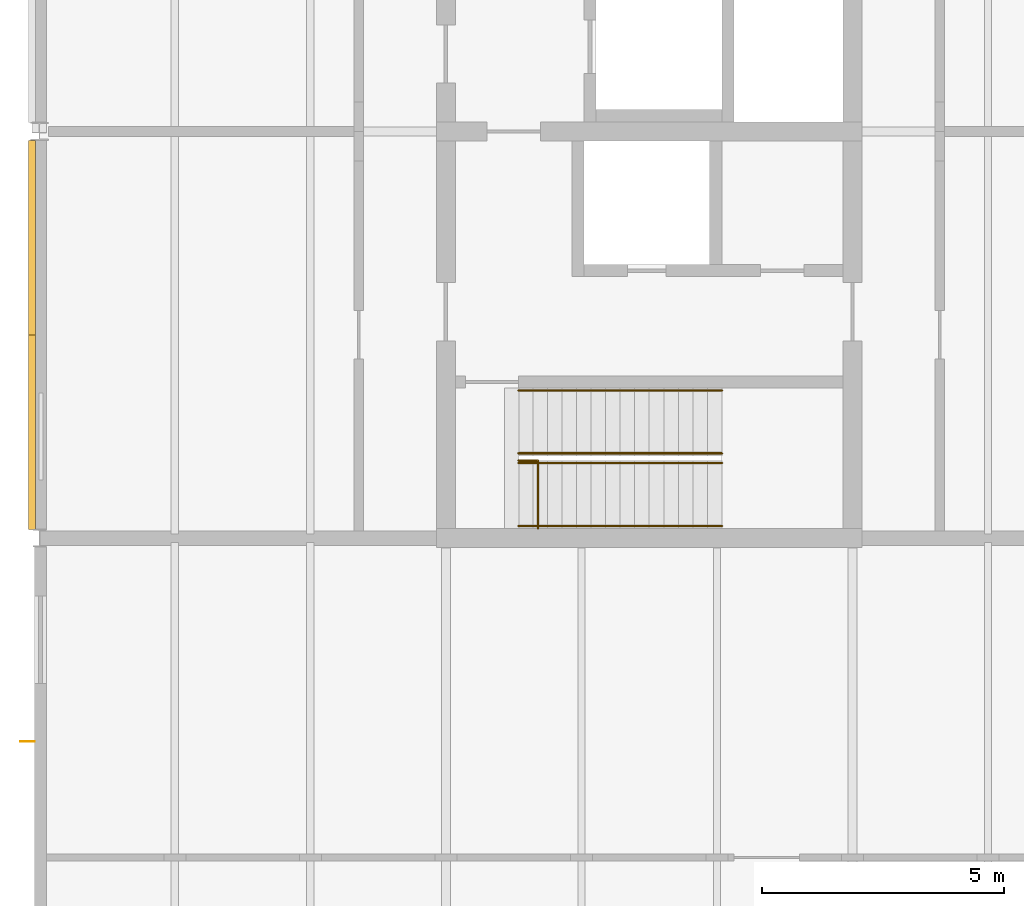
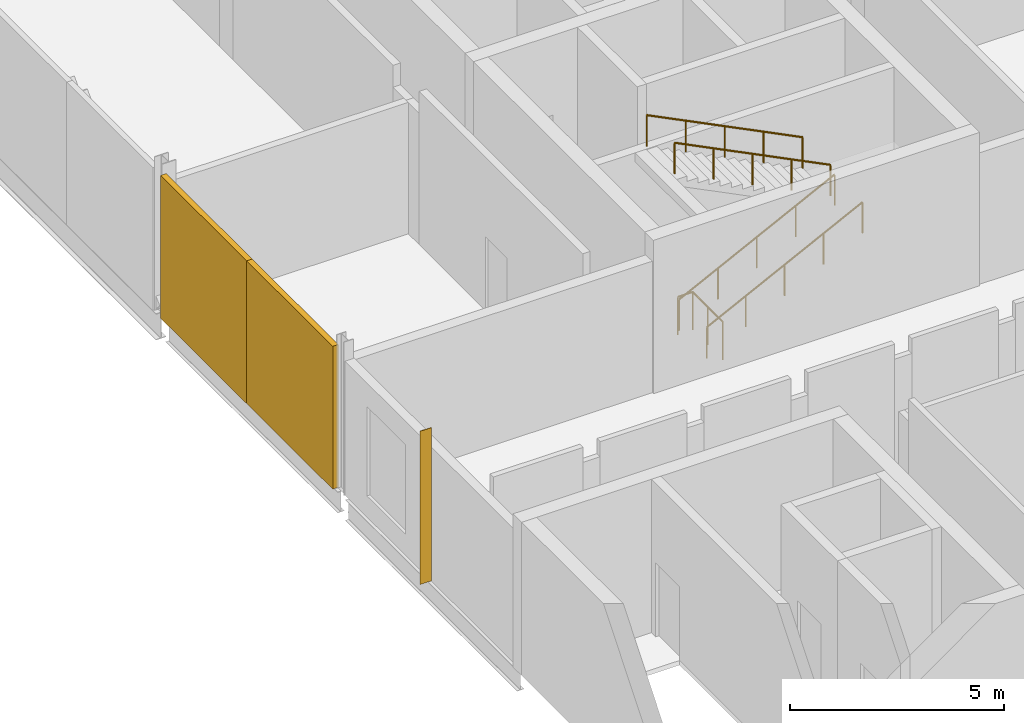
# One storey, part 60 of 72: 5 railings, 3 shading devices.
"""IFC4 building model written with IfcOpenShell, lengths in metres."""

from ifc_helpers import new_model, si_unit, direction, frame, origin, origin_2d, place, context, subcontext, project, spatial, rectangle, circle, extrude, material, layer, layer_set, type_object, element, save


model = new_model("IFC4")

# Units and contexts
model_context = context("Model", 3, precision=1e-05, world=origin(), true_north=direction((0.0, 1.0)))
body_context = subcontext(model_context, "Body", "Model", "MODEL_VIEW")
ifc_project = project(units=[si_unit("LENGTHUNIT", "METRE"), si_unit("AREAUNIT", "SQUARE_METRE"), si_unit("VOLUMEUNIT", "CUBIC_METRE"), si_unit("PLANEANGLEUNIT", "RADIAN"), si_unit("MASSUNIT", "GRAM", prefix="KILO")], contexts=[model_context])

# Site, building, storey
site_placement = place(None, origin())
site = spatial("IfcSite", under=ifc_project, at=site_placement, CompositionType="ELEMENT")
building_placement = place(site_placement, origin())
building = spatial("IfcBuilding", under=site, at=building_placement, Name="Hlaing Beacon Police Headquarters", CompositionType="ELEMENT")
storey_placement = place(building_placement, frame((0.0, 0.0, 14.39990234375)))
storey = spatial("IfcBuildingStorey", under=building, at=storey_placement, Name="L03", CompositionType="ELEMENT", Elevation=14.39990234375)

# Shading devices
ifc_material_1 = material(Name="Aluminium 6063-T5 anodised", Category="aluminium")
ifc_layer_1 = layer(ifc_material_1, 0.011962890625)
ifc_layer_set_1 = layer_set([ifc_layer_1], Name="Aluminium 6063-T5 anodised")
shading_device_type_1 = type_object("IfcShadingDeviceType", Name="Aluminium fin 12x300", PredefinedType="JALOUSIE", material=ifc_layer_set_1)
shading_device_placement = place(storey_placement, frame((8.14990234375, 29.39990234375, 0.0), z_axis=(0.0, 0.0, 1.0), x_axis=(0.0, -1.0, 0.0)))
element("IfcShadingDevice", 1, at=shading_device_placement, inside=storey, type_object=shading_device_type_1, Name="Fin L03 W008", PredefinedType="JALOUSIE", context=body_context, shape_type="SweptSolid", body=[
    extrude(rectangle(XDim=0.011962890625, YDim=0.300048828125, at=origin_2d()), origin(), (0.0, 0.0, 1.0), 4.3701171875),
])
ifc_material_2 = material(Name="Perforated aluminium", Category="aluminium")
ifc_layer_2 = layer(ifc_material_2, 0.14990234375)
ifc_layer_set_2 = layer_set([ifc_layer_2], Name="Perforated aluminium")
shading_device_type_2 = type_object("IfcShadingDeviceType", Name="Perforated screen panel 150", PredefinedType="JALOUSIE", material=ifc_layer_set_2)
for number, where, z_axis, x_axis, name in (
    (2, (8.25, 39.808349609375, 0.0), (0.0, 0.0, 1.0), (0.0, -1.0, 0.0), "Screen L03 W027"),
    (3, (8.25, 35.787841796875, 0.0), (0.0, 0.0, 1.0), (0.0, -1.0, 0.0), "Screen L03 W028"),
):
    element("IfcShadingDevice", number, at=place(storey_placement, frame(where, z_axis=z_axis, x_axis=x_axis)), inside=storey, type_object=shading_device_type_2, Name=name, PredefinedType="JALOUSIE", context=body_context, shape_type="SweptSolid", body=[
        extrude(rectangle(XDim=4.020263671875, YDim=0.14990234375, at=origin_2d()), origin(), (0.0, 0.0, 1.0), 4.070068359375),
    ])

# Railings
ifc_material_3 = material(Name="Stainless steel", Category="steel")
railing_type_1 = type_object("IfcRailingType", Name="Stair guard 1100", PredefinedType="GUARDRAIL", material=ifc_material_3)
railing_placement = place(storey_placement, frame((18.699951171875, 33.800048828125, 0.0)))
element("IfcRailing", 4, at=railing_placement, inside=storey, type_object=railing_type_1, Name="Guard ST-N", PredefinedType="GUARDRAIL", context=body_context, shape_type="SweptSolid", body=[
    extrude(circle(Radius=0.02392578125, at=origin_2d()), frame((0.0, 0.0, 1.076171875), z_axis=(0.0, 1.0, 0.0), x_axis=(-1.0, 0.0, 0.0)), (0.0, 0.0, 1.0), 1.39990234375),
    extrude(circle(Radius=0.02392578125, at=origin_2d()), frame((0.0, 1.39990234375, 1.076171875), z_axis=(-1.0, 0.0, 0.0), x_axis=(0.0, -1.0, 0.0)), (0.0, 0.0, 1.0), 0.39990234375),
    extrude(circle(Radius=0.02099609375, at=origin_2d()), origin(), (0.0, 0.0, 1.0), 1.052001953125),
    extrude(circle(Radius=0.02099609375, at=origin_2d()), frame((0.0, 0.699951171875, 0.0)), (0.0, 0.0, 1.0), 1.052001953125),
    extrude(circle(Radius=0.02099609375, at=origin_2d()), frame((0.0, 1.39990234375, 0.0)), (0.0, 0.0, 1.0), 1.052001953125),
    extrude(circle(Radius=0.02099609375, at=origin_2d()), frame((-0.39990234375, 1.39990234375, 0.0)), (0.0, 0.0, 1.0), 1.052001953125),
])
ifc_material_4 = material(Name="Stainless steel", Category="steel")
railing_type_2 = type_object("IfcRailingType", Name="Stair handrail 900", PredefinedType="HANDRAIL", material=ifc_material_4)
for number, where, name in (
    (5, (18.300048828125, 33.85009765625, 0.150146484375), "Handrail ST-N"),
    (6, (18.300048828125, 35.14990234375, 0.150146484375), "Handrail ST-N"),
):
    element("IfcRailing", number, at=place(storey_placement, frame(where)), inside=storey, type_object=railing_type_2, Name=name, PredefinedType="HANDRAIL", context=body_context, shape_type="SweptSolid", body=[
        extrude(circle(Radius=0.02392578125, at=origin_2d()), frame((0.0, 0.0, 0.8759765625), z_axis=(0.894437589381, 0.0, 0.447192798132), x_axis=(0.0, 1.0, 0.0)), (0.0, 0.0, 1.0), 4.695556640625),
        extrude(circle(Radius=0.02099609375, at=origin_2d()), origin(), (0.0, 0.0, 1.0), 0.851806640625),
        extrude(circle(Radius=0.02099609375, at=origin_2d()), frame((1.050048828125, 0.0, 0.52490234375)), (0.0, 0.0, 1.0), 0.851806640625),
        extrude(circle(Radius=0.02099609375, at=origin_2d()), frame((2.10009765625, 0.0, 1.0498046875)), (0.0, 0.0, 1.0), 0.851806640625),
        extrude(circle(Radius=0.02099609375, at=origin_2d()), frame((3.14990234375, 0.0, 1.574951171875)), (0.0, 0.0, 1.0), 0.851806640625),
        extrude(circle(Radius=0.02099609375, at=origin_2d()), frame((4.199951171875, 0.0, 2.099853515625)), (0.0, 0.0, 1.0), 0.851806640625),
    ])
for number, where, name in (
    (7, (22.5, 35.35009765625, 2.400146484375), "Handrail ST-N"),
    (8, (22.5, 36.64990234375, 2.400146484375), "Handrail ST-N"),
):
    element("IfcRailing", number, at=place(storey_placement, frame(where)), inside=storey, type_object=railing_type_2, Name=name, PredefinedType="HANDRAIL", context=body_context, shape_type="SweptSolid", body=[
        extrude(circle(Radius=0.02392578125, at=origin_2d()), frame((0.0, 0.0, 0.8759765625), z_axis=(-0.894437589381, 0.0, 0.447192798132), x_axis=(0.0, -1.0, 0.0)), (0.0, 0.0, 1.0), 4.695556640625),
        extrude(circle(Radius=0.02099609375, at=origin_2d()), origin(), (0.0, 0.0, 1.0), 0.851806640625),
        extrude(circle(Radius=0.02099609375, at=origin_2d()), frame((-1.050048828125, 0.0, 0.52490234375)), (0.0, 0.0, 1.0), 0.851806640625),
        extrude(circle(Radius=0.02099609375, at=origin_2d()), frame((-2.10009765625, 0.0, 1.0498046875)), (0.0, 0.0, 1.0), 0.851806640625),
        extrude(circle(Radius=0.02099609375, at=origin_2d()), frame((-3.14990234375, 0.0, 1.574951171875)), (0.0, 0.0, 1.0), 0.851806640625),
        extrude(circle(Radius=0.02099609375, at=origin_2d()), frame((-4.199951171875, 0.0, 2.099853515625)), (0.0, 0.0, 1.0), 0.851806640625),
    ])

save(model, "model.ifc")
